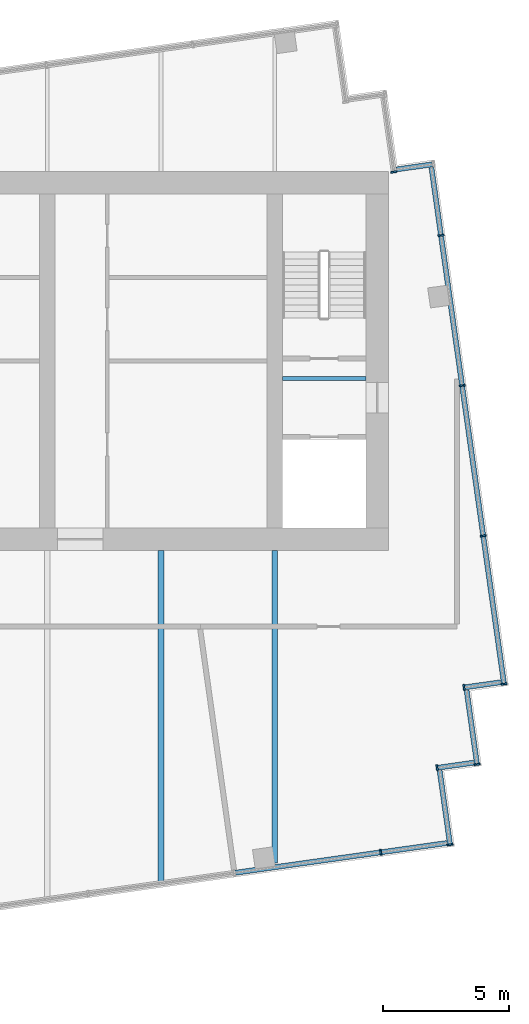
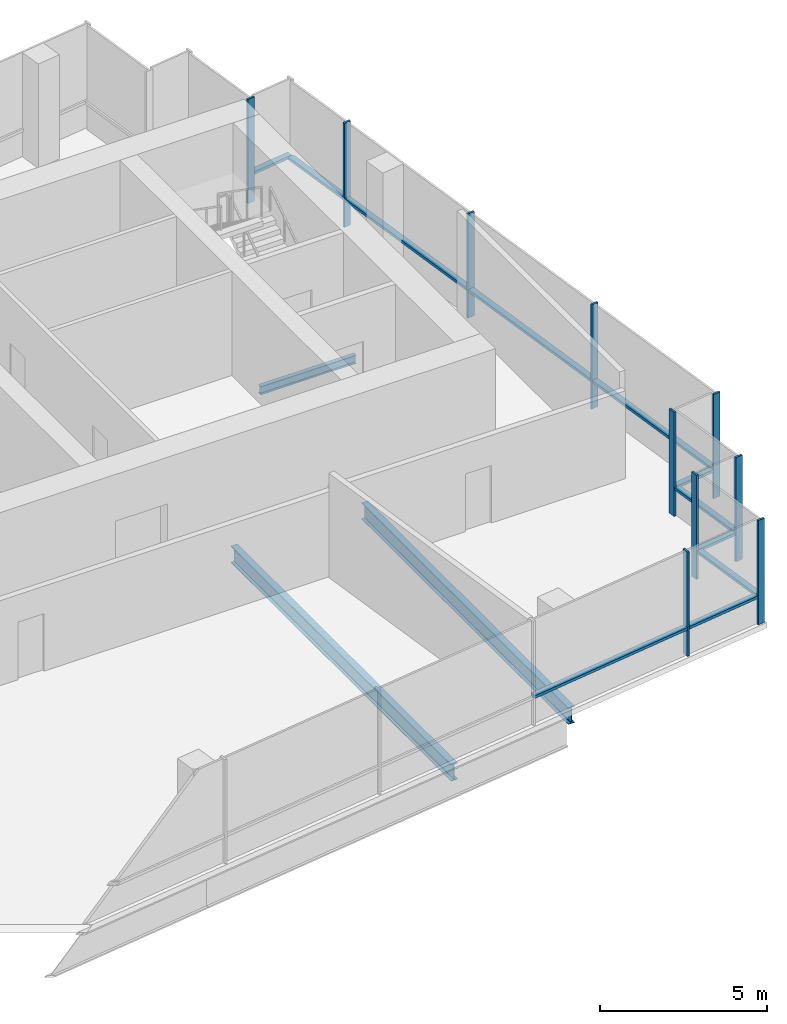
# One storey, part 4 of 9: 21 members, 3 beams, 8 elements without a shape of their own.
"""IFC4 building model written with IfcOpenShell, lengths in metres."""

from ifc_helpers import new_model, si_unit, direction, frame, origin, origin_2d, place, context, subcontext, project, spatial, rectangle, i_section, extrude, material, layer, layer_set, material_profile, profile_set, type_object, element, aggregate, save


model = new_model("IFC4")

# Units and contexts
model_context = context("Model", 3, precision=1e-05, world=origin(), true_north=direction((0.0, 1.0)))
body_context = subcontext(model_context, "Body", "Model", "MODEL_VIEW")
ifc_project = project(units=[si_unit("LENGTHUNIT", "METRE"), si_unit("AREAUNIT", "SQUARE_METRE"), si_unit("VOLUMEUNIT", "CUBIC_METRE"), si_unit("PLANEANGLEUNIT", "RADIAN"), si_unit("MASSUNIT", "GRAM", prefix="KILO")], contexts=[model_context])

# Site, building, storey
site_placement = place(None, origin())
site = spatial("IfcSite", under=ifc_project, at=site_placement, CompositionType="ELEMENT")
building_placement = place(site_placement, origin())
building = spatial("IfcBuilding", under=site, at=building_placement, Name="Rattan Terrace Tower", CompositionType="ELEMENT")
storey_placement = place(building_placement, frame((0.0, 0.0, 304.300048828125)))
storey = spatial("IfcBuildingStorey", under=building, at=storey_placement, Name="C04", CompositionType="ELEMENT", Elevation=304.300048828125)

# Beams
ifc_material_1 = material(Name="Steel S355", Category="steel")
ifc_material_profile_1 = material_profile(ifc_material_1, i_section(OverallWidth=0.14990234375, OverallDepth=0.300048828125, WebThickness=0.007080078125, FlangeThickness=0.0107421875, FilletRadius=0.014892578125, at=origin_2d()), Name="IPE 300")
ifc_profile_set_1 = profile_set([ifc_material_profile_1], Name="Steel S355")
beam_type_1 = type_object("IfcBeamType", Name="Frame floor beam IPE 300", PredefinedType="JOIST", material=ifc_profile_set_1)
beam_1_placement = place(storey_placement, frame((13.800048828125, -0.695068359375, -0.35009765625), z_axis=(1.0, 0.0, 0.0), x_axis=(0.0, 1.0, 0.0)))
element("IfcBeam", 1, at=beam_1_placement, inside=storey, type_object=beam_type_1, Name="bm-C04-002", PredefinedType="JOIST", context=body_context, shape_type="SweptSolid", body=[
    extrude(i_section(OverallWidth=0.14990234375, OverallDepth=0.300048828125, WebThickness=0.007080078125, FlangeThickness=0.0107421875, FilletRadius=0.014892578125, at=origin_2d()), origin(), (0.0, 0.0, 1.0), 3.300048828125),
])
ifc_material_2 = material(Name="Steel S355", Category="steel")
ifc_material_profile_2 = material_profile(ifc_material_2, i_section(OverallWidth=0.219970703125, OverallDepth=0.60009765625, WebThickness=0.011962890625, FlangeThickness=0.01904296875, FilletRadius=0.02392578125, at=origin_2d()), Name="IPE 600")
ifc_profile_set_2 = profile_set([ifc_material_profile_2], Name="Steel S355")
beam_type_2 = type_object("IfcBeamType", Name="Frame floor beam IPE 600", PredefinedType="JOIST", material=ifc_profile_set_2)
beam_2_placement = place(storey_placement, frame((13.5, -19.846923828125, -0.5), z_axis=(0.0, 1.0, 0.0), x_axis=(-1.0, 0.0, 0.0)))
element("IfcBeam", 2, at=beam_2_placement, inside=storey, type_object=beam_type_2, Name="bm-C04-008", PredefinedType="JOIST", context=body_context, shape_type="SweptSolid", body=[
    extrude(i_section(OverallWidth=0.219970703125, OverallDepth=0.60009765625, WebThickness=0.011962890625, FlangeThickness=0.01904296875, FilletRadius=0.02392578125, at=origin_2d()), origin(), (0.0, 0.0, 1.0), 12.346923828125),
])
ifc_material_3 = material(Name="Steel S355", Category="steel")
ifc_material_profile_3 = material_profile(ifc_material_3, i_section(OverallWidth=0.22412109375, OverallDepth=0.610107421875, WebThickness=0.014892578125, FlangeThickness=0.02392578125, FilletRadius=0.02392578125, at=origin_2d()), Name="IPE O 600")
ifc_profile_set_3 = profile_set([ifc_material_profile_3], Name="Steel S355")
beam_type_3 = type_object("IfcBeamType", Name="Frame floor beam IPE O 600", PredefinedType="JOIST", material=ifc_profile_set_3)
beam_3_placement = place(storey_placement, frame((9.0, -20.64501953125, -0.505126953125), z_axis=(0.0, 1.0, 0.0), x_axis=(-1.0, 0.0, 0.0)))
element("IfcBeam", 3, at=beam_3_placement, inside=storey, type_object=beam_type_3, Name="bm-C04-007", PredefinedType="JOIST", context=body_context, shape_type="SweptSolid", body=[
    extrude(i_section(OverallWidth=0.22412109375, OverallDepth=0.610107421875, WebThickness=0.014892578125, FlangeThickness=0.02392578125, FilletRadius=0.02392578125, at=origin_2d()), origin(), (0.0, 0.0, 1.0), 13.14501953125),
])

# Curtain wall, member
ifc_material_4 = material(Name="Aluminium and laminated glass", Category="aluminium")
ifc_layer = layer(ifc_material_4, 0.239990234375)
ifc_layer_set = layer_set([ifc_layer], Name="Lantern Stick Curtain Wall")
curtain_wall_type = type_object("IfcCurtainWallType", Name="Lantern Stick Curtain Wall", PredefinedType="NOTDEFINED", material=ifc_layer_set)
curtain_wall_1_placement = place(storey_placement, origin())
curtain_wall_1 = element("IfcCurtainWall", 4, at=curtain_wall_1_placement, inside=storey, type_object=curtain_wall_type, Name="Lantern curtain wall C04-6", PredefinedType="NOTDEFINED")
ifc_material_5 = material(Name="Aluminium", Category="aluminium")
ifc_material_profile_4 = material_profile(ifc_material_5, rectangle(XDim=0.070068359375, YDim=0.239990234375, at=origin_2d()), Name="Aluminium 70x240")
ifc_profile_set_4 = profile_set([ifc_material_profile_4], Name="Aluminium")
member_type_1 = type_object("IfcMemberType", Name="Lantern CW Mullion 70x240", PredefinedType="MULLION", material=ifc_profile_set_4)
member_1_placement = place(storey_placement, frame((17.69189453125, -19.433837890625, 0.0), z_axis=(0.0, 0.0, 1.0), x_axis=(0.990266952226, 0.13918104515, 0.0)))
member_1 = element("IfcMember", 5, at=member_1_placement, type_object=member_type_1, Name="Mullion cwl-C04-006.7", PredefinedType="MULLION", context=body_context, shape_type="SweptSolid", body=[
    extrude(rectangle(XDim=0.070068359375, YDim=0.239990234375, at=origin_2d()), origin(), (0.0, 0.0, 1.0), 3.800048828125),
])

curtain_wall_2_placement = place(storey_placement, origin())
curtain_wall_2 = element("IfcCurtainWall", 6, at=curtain_wall_2_placement, inside=storey, type_object=curtain_wall_type, Name="Lantern curtain wall C04-7", PredefinedType="NOTDEFINED")
member_2_placement = place(storey_placement, frame((20.431884765625, -19.134521484375, 0.0), z_axis=(0.0, 0.0, 1.0), x_axis=(-0.139040257974, 0.990286729519, 0.0)))
member_2 = element("IfcMember", 7, at=member_2_placement, type_object=member_type_1, Name="Mullion cwl-C04-007.1", PredefinedType="MULLION", context=body_context, shape_type="SweptSolid", body=[
    extrude(rectangle(XDim=0.070068359375, YDim=0.239990234375, at=origin_2d()), origin(), (0.0, 0.0, 1.0), 3.800048828125),
])

curtain_wall_3_placement = place(storey_placement, origin())
curtain_wall_3 = element("IfcCurtainWall", 8, at=curtain_wall_3_placement, inside=storey, type_object=curtain_wall_type, Name="Lantern curtain wall C04-8", PredefinedType="NOTDEFINED")
member_3_placement = place(storey_placement, frame((19.9189453125, -16.09228515625, 0.0), z_axis=(0.0, 0.0, 1.0), x_axis=(0.990227803001, 0.139459306479, 0.0)))
member_3 = element("IfcMember", 9, at=member_3_placement, type_object=member_type_1, Name="Mullion cwl-C04-008.1", PredefinedType="MULLION", context=body_context, shape_type="SweptSolid", body=[
    extrude(rectangle(XDim=0.070068359375, YDim=0.239990234375, at=origin_2d()), origin(), (0.0, 0.0, 1.0), 3.800048828125),
])

curtain_wall_4_placement = place(storey_placement, origin())
curtain_wall_4 = element("IfcCurtainWall", 10, at=curtain_wall_4_placement, inside=storey, type_object=curtain_wall_type, Name="Lantern curtain wall C04-9", PredefinedType="NOTDEFINED")
member_4_placement = place(storey_placement, frame((21.498779296875, -15.95556640625, 0.0), z_axis=(0.0, 0.0, 1.0), x_axis=(-0.139367219175, 0.990240767803, 0.0)))
member_4 = element("IfcMember", 11, at=member_4_placement, type_object=member_type_1, Name="Mullion cwl-C04-009.1", PredefinedType="MULLION", context=body_context, shape_type="SweptSolid", body=[
    extrude(rectangle(XDim=0.070068359375, YDim=0.239990234375, at=origin_2d()), origin(), (0.0, 0.0, 1.0), 3.800048828125),
])

curtain_wall_5_placement = place(storey_placement, origin())
curtain_wall_5 = element("IfcCurtainWall", 12, at=curtain_wall_5_placement, inside=storey, type_object=curtain_wall_type, Name="Lantern curtain wall C04-10", PredefinedType="NOTDEFINED")
member_5_placement = place(storey_placement, frame((20.98486328125, -12.9130859375, 0.0), z_axis=(0.0, 0.0, 1.0), x_axis=(0.99025370695, 0.139275252184, 0.0)))
member_5 = element("IfcMember", 13, at=member_5_placement, type_object=member_type_1, Name="Mullion cwl-C04-010.1", PredefinedType="MULLION", context=body_context, shape_type="SweptSolid", body=[
    extrude(rectangle(XDim=0.070068359375, YDim=0.239990234375, at=origin_2d()), origin(), (0.0, 0.0, 1.0), 3.800048828125),
])

# Curtain wall, members
curtain_wall_6_placement = place(storey_placement, origin())
curtain_wall_6 = element("IfcCurtainWall", 14, at=curtain_wall_6_placement, inside=storey, type_object=curtain_wall_type, Name="Lantern curtain wall C04-11", PredefinedType="NOTDEFINED")
member_6_placement = place(storey_placement, frame((22.56689453125, -12.776611328125, 0.0), z_axis=(0.0, 0.0, 1.0), x_axis=(-0.139187707455, 0.990266015823, 0.0)))
member_6 = element("IfcMember", 15, at=member_6_placement, type_object=member_type_1, Name="Mullion cwl-C04-011.1", PredefinedType="MULLION", context=body_context, shape_type="SweptSolid", body=[
    extrude(rectangle(XDim=0.070068359375, YDim=0.239990234375, at=origin_2d()), origin(), (0.0, 0.0, 1.0), 3.800048828125),
])
member_7_placement = place(storey_placement, frame((21.74365234375, -6.919189453125, 0.0), z_axis=(0.0, 0.0, 1.0), x_axis=(-0.139187707455, 0.990266015823, 0.0)))
member_7 = element("IfcMember", 16, at=member_7_placement, type_object=member_type_1, Name="Mullion cwl-C04-011.2", PredefinedType="MULLION", context=body_context, shape_type="SweptSolid", body=[
    extrude(rectangle(XDim=0.070068359375, YDim=0.239990234375, at=origin_2d()), origin(), (0.0, 0.0, 1.0), 3.800048828125),
])
member_8_placement = place(storey_placement, frame((20.908447265625, -0.9775390625, 0.0), z_axis=(0.0, 0.0, 1.0), x_axis=(-0.139187707455, 0.990266015823, 0.0)))
member_8 = element("IfcMember", 17, at=member_8_placement, type_object=member_type_1, Name="Mullion cwl-C04-011.3", PredefinedType="MULLION", context=body_context, shape_type="SweptSolid", body=[
    extrude(rectangle(XDim=0.070068359375, YDim=0.239990234375, at=origin_2d()), origin(), (0.0, 0.0, 1.0), 3.800048828125),
])
member_9_placement = place(storey_placement, frame((20.0732421875, 4.964111328125, 0.0), z_axis=(0.0, 0.0, 1.0), x_axis=(-0.139187707455, 0.990266015823, 0.0)))
member_9 = element("IfcMember", 18, at=member_9_placement, type_object=member_type_1, Name="Mullion cwl-C04-011.4", PredefinedType="MULLION", context=body_context, shape_type="SweptSolid", body=[
    extrude(rectangle(XDim=0.070068359375, YDim=0.239990234375, at=origin_2d()), origin(), (0.0, 0.0, 1.0), 3.800048828125),
])

# Curtain wall, member
curtain_wall_7_placement = place(storey_placement, origin())
curtain_wall_7 = element("IfcCurtainWall", 19, at=curtain_wall_7_placement, inside=storey, type_object=curtain_wall_type, Name="Lantern curtain wall C04-13", PredefinedType="NOTDEFINED")
member_10_placement = place(storey_placement, frame((18.207275390625, 7.473876953125, 0.0), z_axis=(0.0, 0.0, 1.0), x_axis=(-0.139555918709, 0.990214191755, 0.0)))
member_10 = element("IfcMember", 20, at=member_10_placement, type_object=member_type_1, Name="Mullion cwl-C04-013.1", PredefinedType="MULLION", context=body_context, shape_type="SweptSolid", body=[
    extrude(rectangle(XDim=0.070068359375, YDim=0.239990234375, at=origin_2d()), origin(), (0.0, 0.0, 1.0), 3.800048828125),
])
aggregate(curtain_wall_7, [member_10])

# Member
ifc_material_6 = material(Name="Aluminium", Category="aluminium")
ifc_material_profile_5 = material_profile(ifc_material_6, rectangle(XDim=0.199951171875, YDim=0.10009765625, at=origin_2d()), Name="Aluminium 200x100")
ifc_profile_set_5 = profile_set([ifc_material_profile_5], Name="Aluminium")
member_type_2 = type_object("IfcMemberType", Name="Lantern CW Transom 200x100", PredefinedType="USERDEFINED", material=ifc_profile_set_5)
member_11_placement = place(storey_placement, frame((11.9375, -20.242431640625, 1.0), z_axis=(0.99027150937, 0.139148617417, 0.0), x_axis=(-0.139148617417, 0.99027150937, 0.0)))
member_11 = element("IfcMember", 21, at=member_11_placement, type_object=member_type_2, Name="Transom cwl-C04-006.6", ObjectType="TRANSOM", PredefinedType="USERDEFINED", context=body_context, shape_type="SweptSolid", body=[
    extrude(rectangle(XDim=0.199951171875, YDim=0.10009765625, at=origin_2d()), origin(), (0.0, 0.0, 1.0), 5.77587890625),
])

member_12_placement = place(storey_placement, frame((17.7265625, -19.428955078125, 1.0), z_axis=(0.990256983473, 0.139251953963, 0.0), x_axis=(-0.139251953963, 0.990256983473, 0.0)))
member_12 = element("IfcMember", 22, at=member_12_placement, type_object=member_type_2, Name="Transom cwl-C04-006.7", ObjectType="TRANSOM", PredefinedType="USERDEFINED", context=body_context, shape_type="SweptSolid", body=[
    extrude(rectangle(XDim=0.199951171875, YDim=0.10009765625, at=origin_2d()), origin(), (0.0, 0.0, 1.0), 2.60009765625),
])

aggregate(curtain_wall_1, [member_1, member_11, member_12])

member_13_placement = place(storey_placement, frame((20.427001953125, -19.099853515625, 1.0), z_axis=(-0.139028781454, 0.990288340801, 0.0), x_axis=(-0.990288340801, -0.139028781454, 0.0)))
member_13 = element("IfcMember", 23, at=member_13_placement, type_object=member_type_2, Name="Transom cwl-C04-007.1", ObjectType="TRANSOM", PredefinedType="USERDEFINED", context=body_context, shape_type="SweptSolid", body=[
    extrude(rectangle(XDim=0.199951171875, YDim=0.10009765625, at=origin_2d()), origin(), (0.0, 0.0, 1.0), 2.92919921875),
])

aggregate(curtain_wall_2, [member_2, member_13])

member_14_placement = place(storey_placement, frame((19.95361328125, -16.08740234375, 1.0), z_axis=(0.990227834808, 0.139459080636, 0.0), x_axis=(-0.139459080636, 0.990227834808, 0.0)))
member_14 = element("IfcMember", 24, at=member_14_placement, type_object=member_type_2, Name="Transom cwl-C04-008.1", ObjectType="TRANSOM", PredefinedType="USERDEFINED", context=body_context, shape_type="SweptSolid", body=[
    extrude(rectangle(XDim=0.199951171875, YDim=0.10009765625, at=origin_2d()), origin(), (0.0, 0.0, 1.0), 1.428466796875),
])

aggregate(curtain_wall_3, [member_3, member_14])

member_15_placement = place(storey_placement, frame((21.493896484375, -15.9208984375, 1.0), z_axis=(-0.139355716724, 0.990242386599, 0.0), x_axis=(-0.990242386599, -0.139355716724, 0.0)))
member_15 = element("IfcMember", 25, at=member_15_placement, type_object=member_type_2, Name="Transom cwl-C04-009.1", ObjectType="TRANSOM", PredefinedType="USERDEFINED", context=body_context, shape_type="SweptSolid", body=[
    extrude(rectangle(XDim=0.199951171875, YDim=0.10009765625, at=origin_2d()), origin(), (0.0, 0.0, 1.0), 2.92919921875),
])

aggregate(curtain_wall_4, [member_4, member_15])

member_16_placement = place(storey_placement, frame((21.01953125, -12.908203125, 1.0), z_axis=(0.990257681856, 0.139246987488, 0.0), x_axis=(-0.139246987488, 0.990257681856, 0.0)))
member_16 = element("IfcMember", 26, at=member_16_placement, type_object=member_type_2, Name="Transom cwl-C04-010.1", ObjectType="TRANSOM", PredefinedType="USERDEFINED", context=body_context, shape_type="SweptSolid", body=[
    extrude(rectangle(XDim=0.199951171875, YDim=0.10009765625, at=origin_2d()), origin(), (0.0, 0.0, 1.0), 1.4306640625),
])

aggregate(curtain_wall_5, [member_5, member_16])

member_17_placement = place(storey_placement, frame((22.56201171875, -12.741943359375, 1.0), z_axis=(-0.139216432116, 0.990261977978, 0.0), x_axis=(-0.990261977978, -0.139216432116, 0.0)))
member_17 = element("IfcMember", 27, at=member_17_placement, type_object=member_type_2, Name="Transom cwl-C04-011.1", ObjectType="TRANSOM", PredefinedType="USERDEFINED", context=body_context, shape_type="SweptSolid", body=[
    extrude(rectangle(XDim=0.199951171875, YDim=0.10009765625, at=origin_2d()), origin(), (0.0, 0.0, 1.0), 5.844970703125),
])

member_18_placement = place(storey_placement, frame((21.73876953125, -6.884521484375, 1.0), z_axis=(-0.139196165956, 0.990264826894, 0.0), x_axis=(-0.990264826894, -0.139196165956, 0.0)))
member_18 = element("IfcMember", 28, at=member_18_placement, type_object=member_type_2, Name="Transom cwl-C04-011.2", ObjectType="TRANSOM", PredefinedType="USERDEFINED", context=body_context, shape_type="SweptSolid", body=[
    extrude(rectangle(XDim=0.199951171875, YDim=0.10009765625, at=origin_2d()), origin(), (0.0, 0.0, 1.0), 5.929931640625),
])

member_19_placement = place(storey_placement, frame((20.903564453125, -0.94287109375, 1.0), z_axis=(-0.139196165956, 0.990264826894, 0.0), x_axis=(-0.990264826894, -0.139196165956, 0.0)))
member_19 = element("IfcMember", 29, at=member_19_placement, type_object=member_type_2, Name="Transom cwl-C04-011.3", ObjectType="TRANSOM", PredefinedType="USERDEFINED", context=body_context, shape_type="SweptSolid", body=[
    extrude(rectangle(XDim=0.199951171875, YDim=0.10009765625, at=origin_2d()), origin(), (0.0, 0.0, 1.0), 5.929931640625),
])

member_20_placement = place(storey_placement, frame((20.068359375, 4.998779296875, 1.0), z_axis=(-0.139159755343, 0.990269944254, 0.0), x_axis=(-0.990269944254, -0.139159755343, 0.0)))
member_20 = element("IfcMember", 30, at=member_20_placement, type_object=member_type_2, Name="Transom cwl-C04-011.4", ObjectType="TRANSOM", PredefinedType="USERDEFINED", context=body_context, shape_type="SweptSolid", body=[
    extrude(rectangle(XDim=0.199951171875, YDim=0.10009765625, at=origin_2d()), origin(), (0.0, 0.0, 1.0), 2.675537109375),
])

aggregate(curtain_wall_6, [member_6, member_7, member_8, member_9, member_17, member_18, member_19, member_20])

# Curtain wall, member
curtain_wall_8_placement = place(storey_placement, origin())
curtain_wall_8 = element("IfcCurtainWall", 31, at=curtain_wall_8_placement, inside=storey, type_object=curtain_wall_type, Name="Lantern curtain wall C04-12", PredefinedType="NOTDEFINED")
member_21_placement = place(storey_placement, frame((19.728759765625, 7.77392578125, 1.0), z_axis=(-0.990227834808, -0.139459080636, 0.0), x_axis=(0.139459080636, -0.990227834808, 0.0)))
member_21 = element("IfcMember", 32, at=member_21_placement, type_object=member_type_2, Name="Transom cwl-C04-012.1", ObjectType="TRANSOM", PredefinedType="USERDEFINED", context=body_context, shape_type="SweptSolid", body=[
    extrude(rectangle(XDim=0.199951171875, YDim=0.10009765625, at=origin_2d()), origin(), (0.0, 0.0, 1.0), 1.428466796875),
])
aggregate(curtain_wall_8, [member_21])

save(model, "model.ifc")
